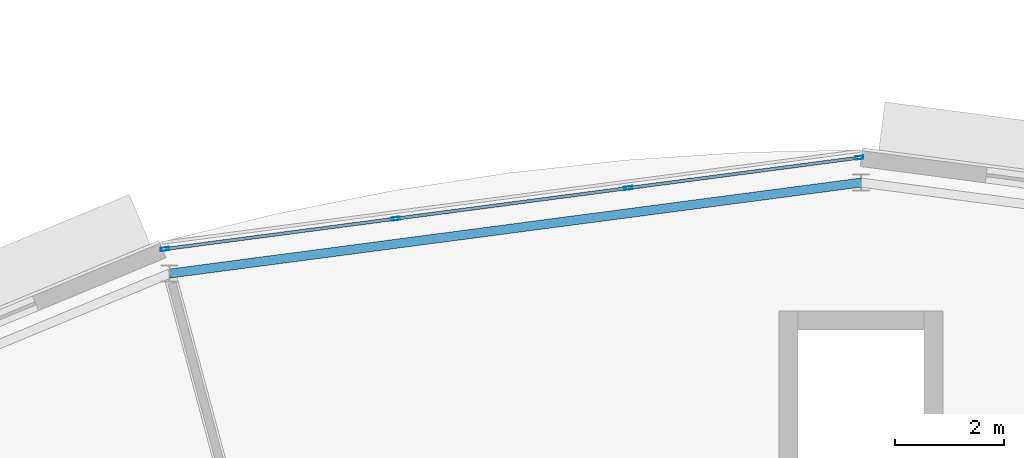
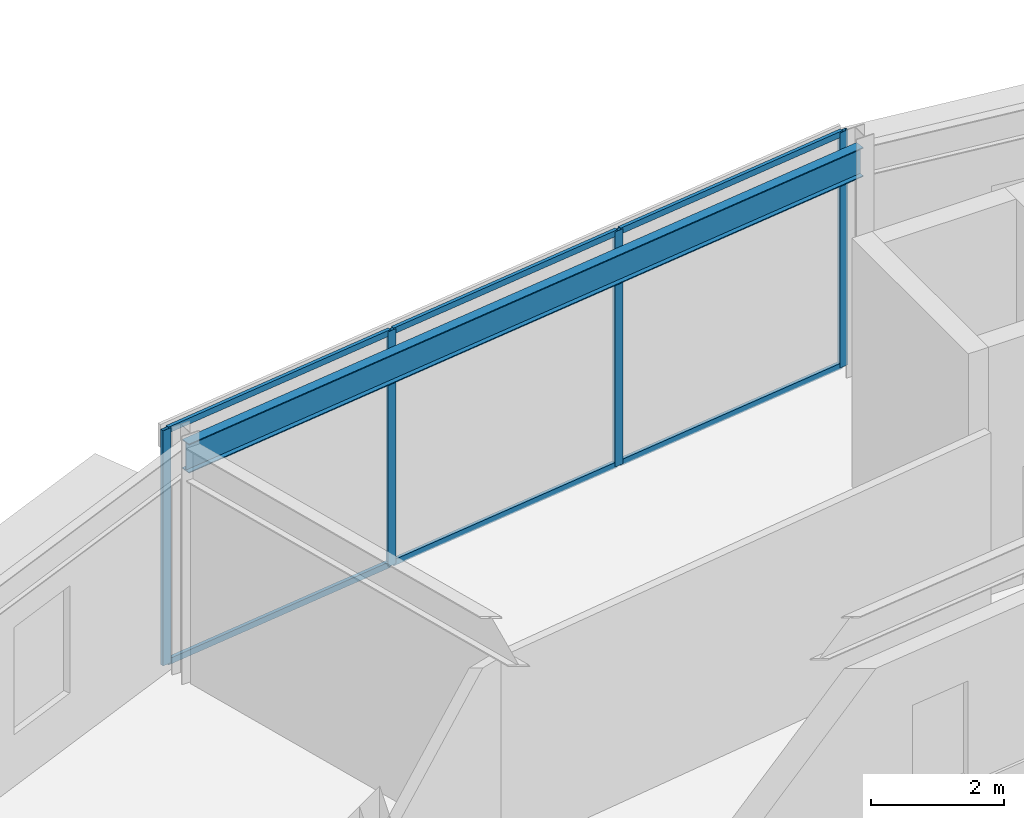
# One storey, part 45 of 89: 10 members, 1 beam, 1 element without a shape of its own.
"""IFC4 building model written with IfcOpenShell, lengths in metres."""

from ifc_helpers import new_model, si_unit, direction, frame, origin, origin_2d, place, context, subcontext, project, spatial, hollow_rectangle, i_section, extrude, material, material_profile, profile_set, type_object, element, aggregate, save


model = new_model("IFC4")

# Units and contexts
model_context = context("Model", 3, precision=1e-05, world=origin(), true_north=direction((0.0, 1.0)))
body_context = subcontext(model_context, "Body", "Model", "MODEL_VIEW")
ifc_project = project(units=[si_unit("LENGTHUNIT", "METRE"), si_unit("AREAUNIT", "SQUARE_METRE"), si_unit("VOLUMEUNIT", "CUBIC_METRE"), si_unit("PLANEANGLEUNIT", "RADIAN"), si_unit("MASSUNIT", "GRAM", prefix="KILO")], contexts=[model_context])

# Site, building, storey
site_placement = place(None, origin())
site = spatial("IfcSite", under=ifc_project, at=site_placement, CompositionType="ELEMENT")
building_placement = place(site_placement, origin())
building = spatial("IfcBuilding", under=site, at=building_placement, Name="Almandine Court Research Institute", CompositionType="ELEMENT")
storey_placement = place(building_placement, frame((0.0, 0.0, 18.89990234375)))
storey = spatial("IfcBuildingStorey", under=building, at=storey_placement, Name="L04", CompositionType="ELEMENT", Elevation=18.89990234375)

# Beam
ifc_material_1 = material(Name="Steel ASTM A992 Grade 50", Category="steel")
ifc_material_profile_1 = material_profile(ifc_material_1, i_section(OverallWidth=0.166015625, OverallDepth=0.534912109375, WebThickness=0.010009765625, FlangeThickness=0.01708984375, at=origin_2d()), Name="W530x85")
ifc_profile_set_1 = profile_set([ifc_material_profile_1], Name="Steel ASTM A992 Grade 50")
beam_type = type_object("IfcBeamType", Name="Beam-G-05-E", PredefinedType="SPANDREL", material=ifc_profile_set_1)
beam_placement = place(storey_placement, frame((87.0, 104.89990234375, 4.041015625), z_axis=(-0.991446677504, -0.130512396599, 0.0), x_axis=(0.130512396599, -0.991446677504, 0.0)))
element("IfcBeam", 1, at=beam_placement, inside=storey, type_object=beam_type, Name="L04 Drum OUT Ring Beam 06", PredefinedType="SPANDREL", context=body_context, shape_type="SweptSolid", body=[
    extrude(i_section(OverallWidth=0.166015625, OverallDepth=0.534912109375, WebThickness=0.010009765625, FlangeThickness=0.01708984375, at=origin_2d()), origin(), (0.0, 0.0, 1.0), 12.76513671875),
])

# Curtain wall, members
ifc_material_2 = material(Name="Unitised Curtain Wall Framing and Solar Glazing", Category="glass")
curtain_wall_type = type_object("IfcCurtainWallType", Name="CW-CWG-22", PredefinedType="USERDEFINED", material=ifc_material_2)
curtain_wall_placement = place(storey_placement, origin())
curtain_wall = element("IfcCurtainWall", 2, at=curtain_wall_placement, inside=storey, type_object=curtain_wall_type, Name="L04 Stacked-Ring Drum Outer Unitised Glazing 06", ObjectType="UNITISED GLAZING", PredefinedType="USERDEFINED")
ifc_material_3 = material(Name="Anodised Aluminium AW-6063-T6", Category="aluminium")
ifc_material_profile_2 = material_profile(ifc_material_3, hollow_rectangle(XDim=0.06005859375, YDim=0.14990234375, WallThickness=0.00390625, at=origin_2d()), Name="ALU RHS 60x150x4")
ifc_profile_set_2 = profile_set([ifc_material_profile_2], Name="Anodised Aluminium AW-6063-T6")
member_type_1 = type_object("IfcMemberType", Name="CWMul-60x150", PredefinedType="MULLION", material=ifc_profile_set_2)
member_1_placement = place(storey_placement, frame((74.2587890625, 103.682861328125, 0.0), z_axis=(0.0, 0.0, 1.0), x_axis=(-0.130540891259, 0.991442926098, 0.0)))
member_1 = element("IfcMember", 3, at=member_1_placement, type_object=member_type_1, Name="CWG-22 mullion 1", PredefinedType="MULLION", context=body_context, shape_type="SweptSolid", body=[
    extrude(hollow_rectangle(XDim=0.06005859375, YDim=0.14990234375, WallThickness=0.00390625, at=origin_2d()), origin(), (0.0, 0.0, 1.0), 4.31005859375),
])
member_2_placement = place(storey_placement, frame((78.484619140625, 104.2392578125, 0.0), z_axis=(0.0, 0.0, 1.0), x_axis=(-0.130540891259, 0.991442926098, 0.0)))
member_2 = element("IfcMember", 4, at=member_2_placement, type_object=member_type_1, Name="CWG-22 mullion 2", PredefinedType="MULLION", context=body_context, shape_type="SweptSolid", body=[
    extrude(hollow_rectangle(XDim=0.06005859375, YDim=0.14990234375, WallThickness=0.00390625, at=origin_2d()), origin(), (0.0, 0.0, 1.0), 4.31005859375),
])
member_3_placement = place(storey_placement, frame((82.740234375, 104.799560546875, 0.0), z_axis=(0.0, 0.0, 1.0), x_axis=(-0.130540891259, 0.991442926098, 0.0)))
member_3 = element("IfcMember", 5, at=member_3_placement, type_object=member_type_1, Name="CWG-22 mullion 3", PredefinedType="MULLION", context=body_context, shape_type="SweptSolid", body=[
    extrude(hollow_rectangle(XDim=0.06005859375, YDim=0.14990234375, WallThickness=0.00390625, at=origin_2d()), origin(), (0.0, 0.0, 1.0), 4.31005859375),
])
member_4_placement = place(storey_placement, frame((86.96630859375, 105.356201171875, 0.0), z_axis=(0.0, 0.0, 1.0), x_axis=(-0.130540891259, 0.991442926098, 0.0)))
member_4 = element("IfcMember", 6, at=member_4_placement, type_object=member_type_1, Name="CWG-22 mullion 4", PredefinedType="MULLION", context=body_context, shape_type="SweptSolid", body=[
    extrude(hollow_rectangle(XDim=0.06005859375, YDim=0.14990234375, WallThickness=0.00390625, at=origin_2d()), origin(), (0.0, 0.0, 1.0), 4.31005859375),
])
ifc_material_profile_3 = material_profile(ifc_material_3, hollow_rectangle(XDim=0.06005859375, YDim=0.110107421875, WallThickness=0.00390625, at=origin_2d()), Name="ALU RHS 60x110x4")
ifc_profile_set_3 = profile_set([ifc_material_profile_3], Name="Anodised Aluminium AW-6063-T6")
member_type_2 = type_object("IfcMemberType", Name="CWTrn-60x110", PredefinedType="NOTDEFINED", material=ifc_profile_set_3)
member_5_placement = place(storey_placement, frame((74.28857421875, 103.686767578125, 0.030029296875), z_axis=(0.991442228753, 0.130546187402, 0.0), x_axis=(-0.130546187402, 0.991442228753, 0.0)))
member_5 = element("IfcMember", 7, at=member_5_placement, type_object=member_type_2, Name="CWG-22 transom 1.1", ObjectType="TRANSOM", PredefinedType="USERDEFINED", context=body_context, shape_type="SweptSolid", body=[
    extrude(hollow_rectangle(XDim=0.06005859375, YDim=0.110107421875, WallThickness=0.00390625, at=origin_2d()), origin(), (0.0, 0.0, 1.0), 4.2021484375),
])
member_6_placement = place(storey_placement, frame((74.28857421875, 103.686767578125, 4.280029296875), z_axis=(0.991442228753, 0.130546187402, 0.0), x_axis=(-0.130546187402, 0.991442228753, 0.0)))
member_6 = element("IfcMember", 8, at=member_6_placement, type_object=member_type_2, Name="CWG-22 transom 1.2", ObjectType="TRANSOM", PredefinedType="USERDEFINED", context=body_context, shape_type="SweptSolid", body=[
    extrude(hollow_rectangle(XDim=0.06005859375, YDim=0.110107421875, WallThickness=0.00390625, at=origin_2d()), origin(), (0.0, 0.0, 1.0), 4.2021484375),
])
member_7_placement = place(storey_placement, frame((78.514404296875, 104.2431640625, 0.030029296875), z_axis=(0.991443690345, 0.130535086761, 0.0), x_axis=(-0.130535086761, 0.991443690345, 0.0)))
member_7 = element("IfcMember", 9, at=member_7_placement, type_object=member_type_2, Name="CWG-22 transom 2.1", ObjectType="TRANSOM", PredefinedType="USERDEFINED", context=body_context, shape_type="SweptSolid", body=[
    extrude(hollow_rectangle(XDim=0.06005859375, YDim=0.110107421875, WallThickness=0.00390625, at=origin_2d()), origin(), (0.0, 0.0, 1.0), 4.232421875),
])
member_8_placement = place(storey_placement, frame((78.514404296875, 104.2431640625, 4.280029296875), z_axis=(0.991443690345, 0.130535086761, 0.0), x_axis=(-0.130535086761, 0.991443690345, 0.0)))
member_8 = element("IfcMember", 10, at=member_8_placement, type_object=member_type_2, Name="CWG-22 transom 2.2", ObjectType="TRANSOM", PredefinedType="USERDEFINED", context=body_context, shape_type="SweptSolid", body=[
    extrude(hollow_rectangle(XDim=0.06005859375, YDim=0.110107421875, WallThickness=0.00390625, at=origin_2d()), origin(), (0.0, 0.0, 1.0), 4.232421875),
])
member_9_placement = place(storey_placement, frame((82.77001953125, 104.803466796875, 0.030029296875), z_axis=(0.991443218791, 0.130538668266, 0.0), x_axis=(-0.130538668266, 0.991443218791, 0.0)))
member_9 = element("IfcMember", 11, at=member_9_placement, type_object=member_type_2, Name="CWG-22 transom 3.1", ObjectType="TRANSOM", PredefinedType="USERDEFINED", context=body_context, shape_type="SweptSolid", body=[
    extrude(hollow_rectangle(XDim=0.06005859375, YDim=0.110107421875, WallThickness=0.00390625, at=origin_2d()), origin(), (0.0, 0.0, 1.0), 4.202392578125),
])
member_10_placement = place(storey_placement, frame((82.77001953125, 104.803466796875, 4.280029296875), z_axis=(0.991443218791, 0.130538668266, 0.0), x_axis=(-0.130538668266, 0.991443218791, 0.0)))
member_10 = element("IfcMember", 12, at=member_10_placement, type_object=member_type_2, Name="CWG-22 transom 3.2", ObjectType="TRANSOM", PredefinedType="USERDEFINED", context=body_context, shape_type="SweptSolid", body=[
    extrude(hollow_rectangle(XDim=0.06005859375, YDim=0.110107421875, WallThickness=0.00390625, at=origin_2d()), origin(), (0.0, 0.0, 1.0), 4.202392578125),
])
aggregate(curtain_wall, [member_1, member_2, member_3, member_4, member_5, member_6, member_7, member_8, member_9, member_10])

save(model, "model.ifc")
